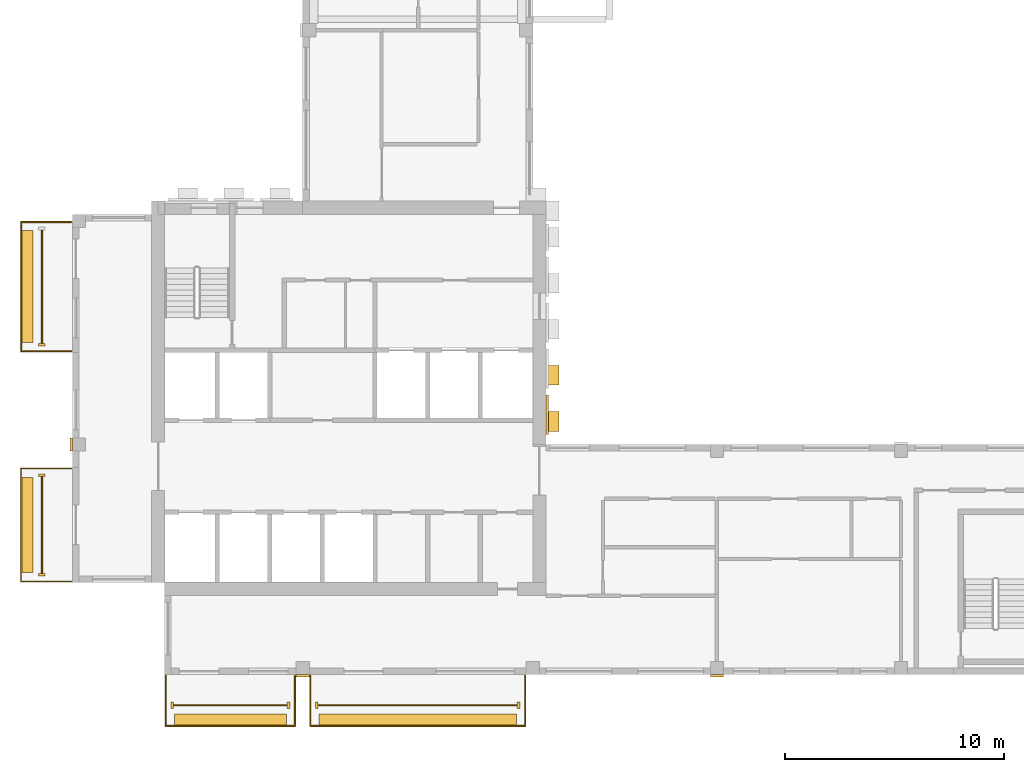
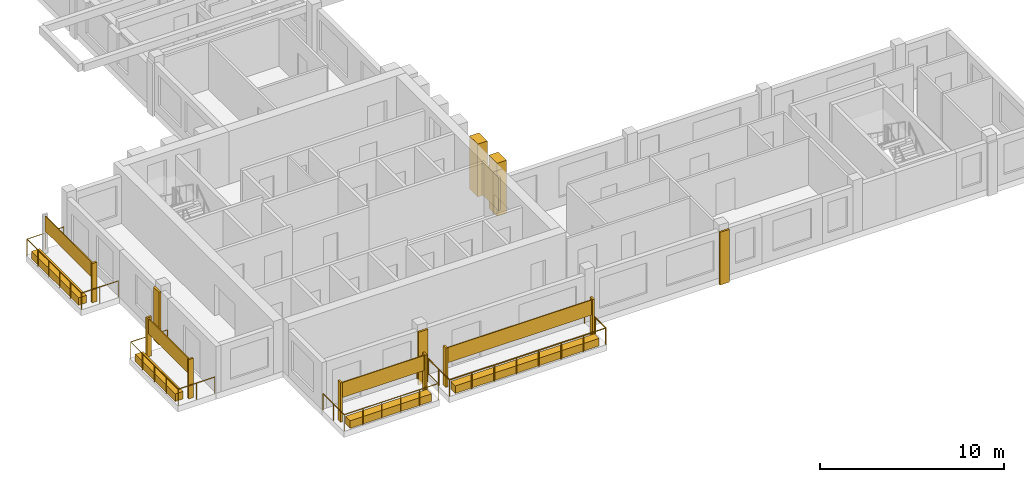
# One storey, part 7 of 10: 21 coverings, 4 railings.
"""IFC4 building model written with IfcOpenShell, lengths in metres."""

from ifc_helpers import new_model, si_unit, direction, frame, origin, origin_2d, place, context, subcontext, project, spatial, rectangle, circle, extrude, source, transform, mapped, material, type_object, element, save


model = new_model("IFC4")

# Units and contexts
model_context = context("Model", 3, precision=1e-05, world=origin(), true_north=direction((0.0, 1.0)))
body_context = subcontext(model_context, "Body", "Model", "MODEL_VIEW")
ifc_project = project(units=[si_unit("LENGTHUNIT", "METRE"), si_unit("AREAUNIT", "SQUARE_METRE"), si_unit("VOLUMEUNIT", "CUBIC_METRE"), si_unit("PLANEANGLEUNIT", "RADIAN"), si_unit("MASSUNIT", "GRAM", prefix="KILO")], contexts=[model_context])

# Site, building, storey
site_placement = place(None, origin())
site = spatial("IfcSite", under=ifc_project, at=site_placement, CompositionType="ELEMENT")
building_placement = place(site_placement, origin())
building = spatial("IfcBuilding", under=site, at=building_placement, Name="Aurelian Terraces", CompositionType="ELEMENT")
storey_placement = place(building_placement, frame((0.0, 0.0, 326.5)))
storey = spatial("IfcBuildingStorey", under=building, at=storey_placement, Name="L76", CompositionType="ELEMENT", Elevation=326.5)

# Coverings
ifc_material_1 = material(Name="Terracotta rainscreen cladding relief", Category="masonry")
covering_type_1 = type_object("IfcCoveringType", Name="BAGUETTE-TC", PredefinedType="CLADDING", material=ifc_material_1)
covering_1_placement = place(storey_placement, frame((10.5, -0.06, -0.4), z_axis=(0.0, 0.0, 1.0), x_axis=(1.0, 0.0, 0.0)))
element("IfcCovering", 1, at=covering_1_placement, inside=storey, type_object=covering_type_1, Name="BAGUETTE pier L76 1", PredefinedType="CLADDING", context=body_context, shape_type="SweptSolid", body=[
    extrude(rectangle(XDim=0.6, YDim=0.12, at=origin_2d()), origin(), (0.0, 0.0, 1.0), 3.5),
])
covering_2_placement = place(storey_placement, frame((-0.06, 10.5, -0.4), z_axis=(0.0, 0.0, 1.0), x_axis=(1.0, 0.0, 0.0)))
element("IfcCovering", 2, at=covering_2_placement, inside=storey, type_object=covering_type_1, Name="BAGUETTE pier L76 5", PredefinedType="CLADDING", context=body_context, shape_type="SweptSolid", body=[
    extrude(rectangle(XDim=0.12, YDim=0.6, at=origin_2d()), origin(), (0.0, 0.0, 1.0), 3.5),
])

# Railings
ifc_material_2 = material(Name="Anodised aluminium", Category="aluminium")
railing_type = type_object("IfcRailingType", Name="GUARD-1100", PredefinedType="GUARDRAIL", material=ifc_material_2)
railing_1_placement = place(storey_placement, frame((4.25, -0.05, 0.0)))
element("IfcRailing", 3, at=railing_1_placement, inside=storey, type_object=railing_type, Name="Balcony guard L76 F01.1", PredefinedType="GUARDRAIL", context=body_context, shape_type="SweptSolid", body=[
    extrude(circle(Radius=0.024, at=origin_2d()), frame((0.0, 0.0, 1.076), z_axis=(0.0, -1.0, 0.0), x_axis=(1.0, 0.0, 0.0)), (0.0, 0.0, 1.0), 2.3),
    extrude(circle(Radius=0.024, at=origin_2d()), frame((0.0, -2.3, 1.076), z_axis=(1.0, 0.0, 0.0), x_axis=(0.0, 1.0, 0.0)), (0.0, 0.0, 1.0), 5.9),
    extrude(circle(Radius=0.024, at=origin_2d()), frame((5.9, -2.3, 1.076), z_axis=(0.0, 1.0, 0.0), x_axis=(-1.0, 0.0, 0.0)), (0.0, 0.0, 1.0), 2.3),
    extrude(circle(Radius=0.021, at=origin_2d()), origin(), (0.0, 0.0, 1.0), 1.052),
    extrude(circle(Radius=0.021, at=origin_2d()), frame((0.0, -1.15, 0.0)), (0.0, 0.0, 1.0), 1.052),
    extrude(circle(Radius=0.021, at=origin_2d()), frame((0.0, -2.3, 0.0)), (0.0, 0.0, 1.0), 1.052),
    extrude(circle(Radius=0.021, at=origin_2d()), frame((1.18, -2.3, 0.0)), (0.0, 0.0, 1.0), 1.052),
    extrude(circle(Radius=0.021, at=origin_2d()), frame((2.36, -2.3, 0.0)), (0.0, 0.0, 1.0), 1.052),
    extrude(circle(Radius=0.021, at=origin_2d()), frame((3.54, -2.3, 0.0)), (0.0, 0.0, 1.0), 1.052),
    extrude(circle(Radius=0.021, at=origin_2d()), frame((4.72, -2.3, 0.0)), (0.0, 0.0, 1.0), 1.052),
    extrude(circle(Radius=0.021, at=origin_2d()), frame((5.9, -2.3, 0.0)), (0.0, 0.0, 1.0), 1.052),
    extrude(circle(Radius=0.021, at=origin_2d()), frame((5.9, -1.15, 0.0)), (0.0, 0.0, 1.0), 1.052),
    extrude(circle(Radius=0.021, at=origin_2d()), frame((5.9, 0.0, 0.0)), (0.0, 0.0, 1.0), 1.052),
])
railing_2_placement = place(storey_placement, frame((10.85, -0.05, 0.0)))
element("IfcRailing", 4, at=railing_2_placement, inside=storey, type_object=railing_type, Name="Balcony guard L76 F01.2", PredefinedType="GUARDRAIL", context=body_context, shape_type="SweptSolid", body=[
    extrude(circle(Radius=0.024, at=origin_2d()), frame((0.0, 0.0, 1.076), z_axis=(0.0, -1.0, 0.0), x_axis=(1.0, 0.0, 0.0)), (0.0, 0.0, 1.0), 2.3),
    extrude(circle(Radius=0.024, at=origin_2d()), frame((0.0, -2.3, 1.076), z_axis=(1.0, 0.0, 0.0), x_axis=(0.0, 1.0, 0.0)), (0.0, 0.0, 1.0), 9.8),
    extrude(circle(Radius=0.024, at=origin_2d()), frame((9.8, -2.3, 1.076), z_axis=(0.0, 1.0, 0.0), x_axis=(-1.0, 0.0, 0.0)), (0.0, 0.0, 1.0), 2.3),
    extrude(circle(Radius=0.021, at=origin_2d()), origin(), (0.0, 0.0, 1.0), 1.052),
    extrude(circle(Radius=0.021, at=origin_2d()), frame((0.0, -1.15, 0.0)), (0.0, 0.0, 1.0), 1.052),
    extrude(circle(Radius=0.021, at=origin_2d()), frame((0.0, -2.3, 0.0)), (0.0, 0.0, 1.0), 1.052),
    extrude(circle(Radius=0.021, at=origin_2d()), frame((1.4, -2.3, 0.0)), (0.0, 0.0, 1.0), 1.052),
    extrude(circle(Radius=0.021, at=origin_2d()), frame((2.8, -2.3, 0.0)), (0.0, 0.0, 1.0), 1.052),
    extrude(circle(Radius=0.021, at=origin_2d()), frame((4.2, -2.3, 0.0)), (0.0, 0.0, 1.0), 1.052),
    extrude(circle(Radius=0.021, at=origin_2d()), frame((5.6, -2.3, 0.0)), (0.0, 0.0, 1.0), 1.052),
    extrude(circle(Radius=0.021, at=origin_2d()), frame((7.0, -2.3, 0.0)), (0.0, 0.0, 1.0), 1.052),
    extrude(circle(Radius=0.021, at=origin_2d()), frame((8.4, -2.3, 0.0)), (0.0, 0.0, 1.0), 1.052),
    extrude(circle(Radius=0.021, at=origin_2d()), frame((9.8, -2.3, 0.0)), (0.0, 0.0, 1.0), 1.052),
    extrude(circle(Radius=0.021, at=origin_2d()), frame((9.8, -1.15, 0.0)), (0.0, 0.0, 1.0), 1.052),
    extrude(circle(Radius=0.021, at=origin_2d()), frame((9.8, 0.0, 0.0)), (0.0, 0.0, 1.0), 1.052),
])
railing_3_placement = place(storey_placement, frame((-0.05, 20.65, 0.0)))
element("IfcRailing", 5, at=railing_3_placement, inside=storey, type_object=railing_type, Name="Balcony guard L76 F12.20", PredefinedType="GUARDRAIL", context=body_context, shape_type="SweptSolid", body=[
    extrude(circle(Radius=0.024, at=origin_2d()), frame((0.0, 0.0, 1.076), z_axis=(-1.0, 0.0, 0.0), x_axis=(0.0, -1.0, 0.0)), (0.0, 0.0, 1.0), 2.3),
    extrude(circle(Radius=0.024, at=origin_2d()), frame((-2.3, 0.0, 1.076), z_axis=(0.0, -1.0, 0.0), x_axis=(1.0, 0.0, 0.0)), (0.0, 0.0, 1.0), 5.9),
    extrude(circle(Radius=0.024, at=origin_2d()), frame((-2.3, -5.9, 1.076), z_axis=(1.0, 0.0, 0.0), x_axis=(0.0, 1.0, 0.0)), (0.0, 0.0, 1.0), 2.3),
    extrude(circle(Radius=0.021, at=origin_2d()), origin(), (0.0, 0.0, 1.0), 1.052),
    extrude(circle(Radius=0.021, at=origin_2d()), frame((-1.15, 0.0, 0.0)), (0.0, 0.0, 1.0), 1.052),
    extrude(circle(Radius=0.021, at=origin_2d()), frame((-2.3, 0.0, 0.0)), (0.0, 0.0, 1.0), 1.052),
    extrude(circle(Radius=0.021, at=origin_2d()), frame((-2.3, -1.18, 0.0)), (0.0, 0.0, 1.0), 1.052),
    extrude(circle(Radius=0.021, at=origin_2d()), frame((-2.3, -2.36, 0.0)), (0.0, 0.0, 1.0), 1.052),
    extrude(circle(Radius=0.021, at=origin_2d()), frame((-2.3, -3.54, 0.0)), (0.0, 0.0, 1.0), 1.052),
    extrude(circle(Radius=0.021, at=origin_2d()), frame((-2.3, -4.72, 0.0)), (0.0, 0.0, 1.0), 1.052),
    extrude(circle(Radius=0.021, at=origin_2d()), frame((-2.3, -5.9, 0.0)), (0.0, 0.0, 1.0), 1.052),
    extrude(circle(Radius=0.021, at=origin_2d()), frame((-1.15, -5.9, 0.0)), (0.0, 0.0, 1.0), 1.052),
    extrude(circle(Radius=0.021, at=origin_2d()), frame((0.0, -5.9, 0.0)), (0.0, 0.0, 1.0), 1.052),
])

# Coverings
ifc_material_3 = material(Name="Terracotta planter with planting soil", Category="masonry")
covering_type_2 = type_object("IfcCoveringType", Name="PLANTER-TROUGH", PredefinedType="USERDEFINED", material=ifc_material_3)
covering_3_placement = place(storey_placement, frame((7.2, -2.05, 0.0), z_axis=(0.0, 0.0, 1.0), x_axis=(1.0, 0.0, 0.0)))
element("IfcCovering", 6, at=covering_3_placement, inside=storey, type_object=covering_type_2, Name="PLANTER L76 L76-F01-01", ObjectType="PLANTER", PredefinedType="USERDEFINED", context=body_context, shape_type="SweptSolid", body=[
    extrude(rectangle(XDim=5.1, YDim=0.5, at=origin_2d()), origin(), (0.0, 0.0, 1.0), 0.5),
])
covering_4_placement = place(storey_placement, frame((15.75, -2.05, 0.0), z_axis=(0.0, 0.0, 1.0), x_axis=(1.0, 0.0, 0.0)))
element("IfcCovering", 7, at=covering_4_placement, inside=storey, type_object=covering_type_2, Name="PLANTER L76 L76-F01-02", ObjectType="PLANTER", PredefinedType="USERDEFINED", context=body_context, shape_type="SweptSolid", body=[
    extrude(rectangle(XDim=9.0, YDim=0.5, at=origin_2d()), origin(), (0.0, 0.0, 1.0), 0.5),
])
covering_5_placement = place(storey_placement, frame((-2.05, 17.7, 0.0), z_axis=(0.0, 0.0, 1.0), x_axis=(1.0, 0.0, 0.0)))
element("IfcCovering", 8, at=covering_5_placement, inside=storey, type_object=covering_type_2, Name="PLANTER L76 L76-F12-20", ObjectType="PLANTER", PredefinedType="USERDEFINED", context=body_context, shape_type="SweptSolid", body=[
    extrude(rectangle(XDim=0.5, YDim=5.1, at=origin_2d()), origin(), (0.0, 0.0, 1.0), 0.5),
])
ifc_material_4 = material(Name="Terracotta rainscreen cladding", Category="masonry")
covering_type_3 = type_object("IfcCoveringType", Name="SCREEN-TC", PredefinedType="CLADDING", material=ifc_material_4)
covering_6_placement = place(storey_placement, frame((7.2, -1.4, 1.5), z_axis=(0.0, 0.0, 1.0), x_axis=(1.0, 0.0, 0.0)))
element("IfcCovering", 9, at=covering_6_placement, inside=storey, type_object=covering_type_3, Name="SCREEN L76 L76-F01-01", PredefinedType="CLADDING", context=body_context, shape_type="SweptSolid", body=[
    extrude(rectangle(XDim=5.18, YDim=0.06, at=origin_2d()), origin(), (0.0, 0.0, 1.0), 1.0),
])
covering_7_placement = place(storey_placement, frame((15.75, -1.4, 1.5), z_axis=(0.0, 0.0, 1.0), x_axis=(1.0, 0.0, 0.0)))
element("IfcCovering", 10, at=covering_7_placement, inside=storey, type_object=covering_type_3, Name="SCREEN L76 L76-F01-02", PredefinedType="CLADDING", context=body_context, shape_type="SweptSolid", body=[
    extrude(rectangle(XDim=9.08, YDim=0.06, at=origin_2d()), origin(), (0.0, 0.0, 1.0), 1.0),
])
covering_8_placement = place(storey_placement, frame((-1.4, 17.7, 1.5), z_axis=(0.0, 0.0, 1.0), x_axis=(1.0, 0.0, 0.0)))
element("IfcCovering", 11, at=covering_8_placement, inside=storey, type_object=covering_type_3, Name="SCREEN L76 L76-F12-20", PredefinedType="CLADDING", context=body_context, shape_type="SweptSolid", body=[
    extrude(rectangle(XDim=0.06, YDim=5.18, at=origin_2d()), origin(), (0.0, 0.0, 1.0), 1.0),
])
covering_type_4 = type_object("IfcCoveringType", Name="FIN-TC", PredefinedType="CLADDING", material=ifc_material_1)
shared_shape_1 = source(origin(), body_context, "Body", "SweptSolid", [
    extrude(rectangle(XDim=0.3, YDim=0.12, at=origin_2d()), origin(), (0.0, 0.0, 1.0), 2.6),
])
for number, where, z_axis, x_axis, name in (
    (12, (-1.4, 15.05, 0.0), (0.0, 0.0, 1.0), (1.0, 0.0, 0.0), "FIN L76 L76-F12-20.2"),
    (13, (-1.4, 9.1, 0.0), (0.0, 0.0, 1.0), (1.0, 0.0, 0.0), "FIN L76 L76-F12-22.1"),
    (14, (-1.4, 4.55, 0.0), (0.0, 0.0, 1.0), (1.0, 0.0, 0.0), "FIN L76 L76-F12-22.2"),
):
    element("IfcCovering", number, at=place(storey_placement, frame(where, z_axis=z_axis, x_axis=x_axis)), inside=storey, type_object=covering_type_4, Name=name, PredefinedType="CLADDING", context=body_context, shape_type="MappedRepresentation", body=[
        mapped(shared_shape_1, transform((0.0, 0.0, 0.0), scale=1.0)),
    ])
shared_shape_2 = source(origin(), body_context, "Body", "SweptSolid", [
    extrude(rectangle(XDim=0.12, YDim=0.3, at=origin_2d()), origin(), (0.0, 0.0, 1.0), 2.6),
])
for number, where, z_axis, x_axis, name in (
    (15, (4.55, -1.4, 0.0), (0.0, 0.0, 1.0), (1.0, 0.0, 0.0), "FIN L76 L76-F01-01.1"),
    (16, (9.85, -1.4, 0.0), (0.0, 0.0, 1.0), (1.0, 0.0, 0.0), "FIN L76 L76-F01-01.2"),
    (17, (11.15, -1.4, 0.0), (0.0, 0.0, 1.0), (1.0, 0.0, 0.0), "FIN L76 L76-F01-02.1"),
    (18, (20.35, -1.4, 0.0), (0.0, 0.0, 1.0), (1.0, 0.0, 0.0), "FIN L76 L76-F01-02.2"),
):
    element("IfcCovering", number, at=place(storey_placement, frame(where, z_axis=z_axis, x_axis=x_axis)), inside=storey, type_object=covering_type_4, Name=name, PredefinedType="CLADDING", context=body_context, shape_type="MappedRepresentation", body=[
        mapped(shared_shape_2, transform((0.0, 0.0, 0.0), scale=1.0)),
    ])

# Railing
shared_shape_3 = source(origin(), body_context, "Body", "SweptSolid", [
    extrude(circle(Radius=0.024, at=origin_2d()), frame((0.0, 0.0, 1.076), z_axis=(-1.0, 0.0, 0.0), x_axis=(0.0, -1.0, 0.0)), (0.0, 0.0, 1.0), 2.3),
    extrude(circle(Radius=0.024, at=origin_2d()), frame((-2.3, 0.0, 1.076), z_axis=(0.0, -1.0, 0.0), x_axis=(1.0, 0.0, 0.0)), (0.0, 0.0, 1.0), 5.15),
    extrude(circle(Radius=0.024, at=origin_2d()), frame((-2.3, -5.15, 1.076), z_axis=(1.0, 0.0, 0.0), x_axis=(0.0, 1.0, 0.0)), (0.0, 0.0, 1.0), 2.3),
    extrude(circle(Radius=0.021, at=origin_2d()), origin(), (0.0, 0.0, 1.0), 1.052),
    extrude(circle(Radius=0.021, at=origin_2d()), frame((-1.15, 0.0, 0.0)), (0.0, 0.0, 1.0), 1.052),
    extrude(circle(Radius=0.021, at=origin_2d()), frame((-2.3, 0.0, 0.0)), (0.0, 0.0, 1.0), 1.052),
    extrude(circle(Radius=0.021, at=origin_2d()), frame((-2.3, -1.2875, 0.0)), (0.0, 0.0, 1.0), 1.052),
    extrude(circle(Radius=0.021, at=origin_2d()), frame((-2.3, -2.575, 0.0)), (0.0, 0.0, 1.0), 1.052),
    extrude(circle(Radius=0.021, at=origin_2d()), frame((-2.3, -3.8625, 0.0)), (0.0, 0.0, 1.0), 1.052),
    extrude(circle(Radius=0.021, at=origin_2d()), frame((-2.3, -5.15, 0.0)), (0.0, 0.0, 1.0), 1.052),
    extrude(circle(Radius=0.021, at=origin_2d()), frame((-1.15, -5.15, 0.0)), (0.0, 0.0, 1.0), 1.052),
    extrude(circle(Radius=0.021, at=origin_2d()), frame((0.0, -5.15, 0.0)), (0.0, 0.0, 1.0), 1.052),
])
railing_4_placement = place(storey_placement, frame((-0.05, 9.4, 0.0)))
element("IfcRailing", 19, at=railing_4_placement, inside=storey, type_object=railing_type, Name="Balcony guard L76 F12.22", PredefinedType="GUARDRAIL", context=body_context, shape_type="MappedRepresentation", body=[
    mapped(shared_shape_3, transform((0.0, 0.0, 0.0), scale=1.0)),
])

# Coverings
shared_shape_4 = source(origin(), body_context, "Body", "SweptSolid", [
    extrude(rectangle(XDim=0.5, YDim=4.35, at=origin_2d()), origin(), (0.0, 0.0, 1.0), 0.5),
])
covering_9_placement = place(storey_placement, frame((-2.05, 6.825, 0.0), z_axis=(0.0, 0.0, 1.0), x_axis=(1.0, 0.0, 0.0)))
element("IfcCovering", 20, at=covering_9_placement, inside=storey, type_object=covering_type_2, Name="PLANTER L76 L76-F12-22", ObjectType="PLANTER", PredefinedType="USERDEFINED", context=body_context, shape_type="MappedRepresentation", body=[
    mapped(shared_shape_4, transform((0.0, 0.0, 0.0), scale=1.0)),
])
shared_shape_5 = source(origin(), body_context, "Body", "SweptSolid", [
    extrude(rectangle(XDim=0.06, YDim=4.43, at=origin_2d()), origin(), (0.0, 0.0, 1.0), 1.0),
])
covering_10_placement = place(storey_placement, frame((-1.4, 6.825, 1.5), z_axis=(0.0, 0.0, 1.0), x_axis=(1.0, 0.0, 0.0)))
element("IfcCovering", 21, at=covering_10_placement, inside=storey, type_object=covering_type_3, Name="SCREEN L76 L76-F12-22", PredefinedType="CLADDING", context=body_context, shape_type="MappedRepresentation", body=[
    mapped(shared_shape_5, transform((0.0, 0.0, 0.0), scale=1.0)),
])
ifc_material_5 = material(Name="Terracotta rainscreen cladding louvre blades", Category="masonry")
covering_type_5 = type_object("IfcCoveringType", Name="LOUVRE-TC", PredefinedType="CLADDING", material=ifc_material_5)
shared_shape_6 = source(origin(), body_context, "Body", "SweptSolid", [
    extrude(rectangle(XDim=0.12, YDim=1.8, at=origin_2d()), origin(), (0.0, 0.0, 1.0), 2.2),
])
covering_11_placement = place(storey_placement, frame((21.66, 11.85, 0.45), z_axis=(0.0, 0.0, 1.0), x_axis=(1.0, 0.0, 0.0)))
element("IfcCovering", 22, at=covering_11_placement, inside=storey, type_object=covering_type_5, Name="LOUVRE L76 core face E.1", PredefinedType="CLADDING", context=body_context, shape_type="MappedRepresentation", body=[
    mapped(shared_shape_6, transform((0.0, 0.0, 0.0), scale=1.0)),
])
shared_shape_7 = source(origin(), body_context, "Body", "SweptSolid", [
    extrude(rectangle(XDim=0.6, YDim=0.12, at=origin_2d()), origin(), (0.0, 0.0, 1.0), 3.5),
])
covering_12_placement = place(storey_placement, frame((29.4, -0.06, -0.4), z_axis=(0.0, 0.0, 1.0), x_axis=(1.0, 0.0, 0.0)))
element("IfcCovering", 23, at=covering_12_placement, inside=storey, type_object=covering_type_1, Name="BAGUETTE pier L76 2", PredefinedType="CLADDING", context=body_context, shape_type="MappedRepresentation", body=[
    mapped(shared_shape_7, transform((0.0, 0.0, 0.0), scale=1.0)),
])
covering_type_6 = type_object("IfcCoveringType", Name="Core spine pier 900x600", PredefinedType="CLADDING", material=ifc_material_1)
shared_shape_8 = source(origin(), body_context, "Body", "SweptSolid", [
    extrude(rectangle(XDim=0.6, YDim=0.9, at=origin_2d()), origin(), (0.0, 0.0, 1.0), 3.5),
])
for number, where, z_axis, x_axis, name in (
    (24, (21.9, 11.55, 0.0), (0.0, 0.0, 1.0), (1.0, 0.0, 0.0), "Spine pier L76 E1"),
    (25, (21.9, 13.65, 0.0), (0.0, 0.0, 1.0), (1.0, 0.0, 0.0), "Spine pier L76 E2"),
):
    element("IfcCovering", number, at=place(storey_placement, frame(where, z_axis=z_axis, x_axis=x_axis)), inside=storey, type_object=covering_type_6, Name=name, PredefinedType="CLADDING", context=body_context, shape_type="MappedRepresentation", body=[
        mapped(shared_shape_8, transform((0.0, 0.0, 0.0), scale=1.0)),
    ])

save(model, "model.ifc")
